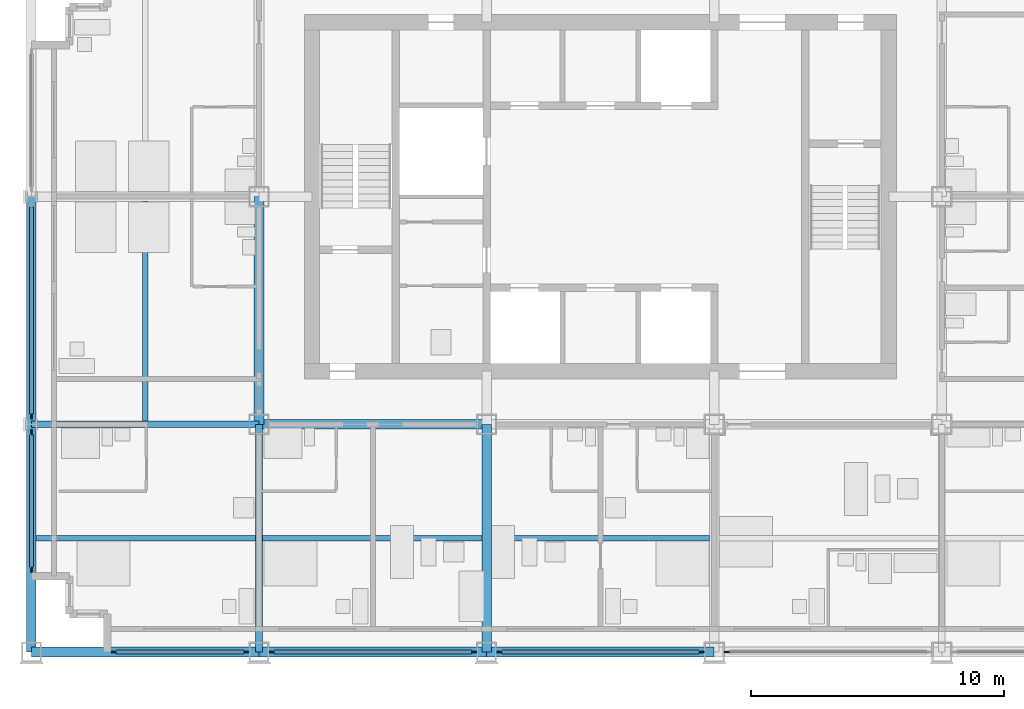
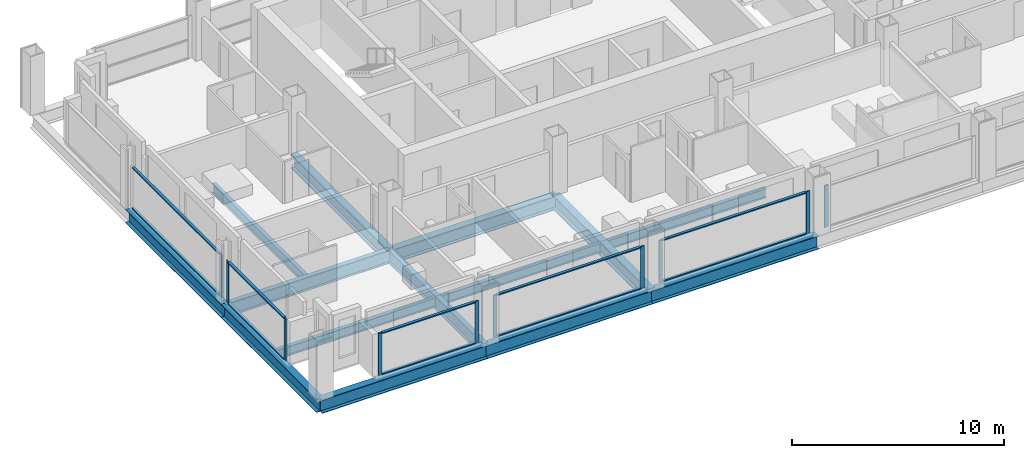
# One storey, part 2 of 13: 20 members, 14 beams, 6 elements without a shape of their own.
"""IFC4 building model written with IfcOpenShell, lengths in metres."""

import ifcopenshell
import ifcopenshell.guid

model = None  # the IFC model being written
_history = None  # IfcOwnerHistory: only IFC2X3 demands one
_inside = {}  # id of a spatial element -> (the spatial element, [elements in it])
_under = {}  # id of a project, library or spatial element -> (it, [spatial elements below it])
_declared = {}  # id of a project -> (the project, [libraries it declares])
_typed = {}  # id of a type object -> (the type object, [elements of that type])
_made_of = {}  # id of a material, layer set ... -> (it, [elements and type objects made of it])


def new_model(schema):
    """Start an empty IFC model of exactly this schema.

    Asked for "IFC4X3", IfcOpenShell would pick the latest addendum, in which some entities
    have other attributes; the version numbers below select the first issue.
    IFC2X3 requires an IfcOwnerHistory on every rooted entity: one is made here for all.
    """
    global model, _history
    if schema == "IFC4X3":
        model = ifcopenshell.file(schema_version=(4, 3, 0, 0))
    else:
        model = ifcopenshell.file(schema=schema)
    _inside.clear()
    _under.clear()
    _declared.clear()
    _typed.clear()
    _made_of.clear()
    _history = None
    if model.schema == "IFC2X3":
        org = make("IfcOrganization", Name="unknown")
        user = make(
            "IfcPersonAndOrganization",
            ThePerson=make("IfcPerson", FamilyName="unknown"),
            TheOrganization=org,
        )
        app = make(
            "IfcApplication",
            ApplicationDeveloper=org,
            Version="unknown",
            ApplicationFullName="unknown",
            ApplicationIdentifier="unknown",
        )
        _history = make(
            "IfcOwnerHistory",
            OwningUser=user,
            OwningApplication=app,
            ChangeAction="ADDED",
            CreationDate=0,
        )
    return model


def make(cls, **values):
    """One entity of the class cls with the attributes given. An attribute that is None is left unset."""
    return model.create_entity(
        cls, **{name: value for name, value in values.items() if value is not None}
    )


def rooted(cls, **values):
    """An entity with a GlobalId (a new one), such as an element, a storey or a relation."""
    return make(cls, GlobalId=ifcopenshell.guid.new(), OwnerHistory=_history, **values)


def si_unit(unit_type, name, prefix=None):
    """IfcSIUnit, for example si_unit("LENGTHUNIT", "METRE", prefix="MILLI")."""
    return make("IfcSIUnit", UnitType=unit_type, Prefix=prefix, Name=name)


def assignment(units):
    """IfcUnitAssignment: the units of a project."""
    return None if units is None else make("IfcUnitAssignment", Units=units)


def point(xyz):
    """IfcCartesianPoint."""
    return None if xyz is None else make("IfcCartesianPoint", Coordinates=xyz)


def direction(xyz):
    """IfcDirection."""
    return None if xyz is None else make("IfcDirection", DirectionRatios=xyz)


def frame(location, z_axis=None, x_axis=None):
    """IfcAxis2Placement3D, a coordinate frame: its origin and axes. An axis left out is left unset."""
    return make(
        "IfcAxis2Placement3D",
        Location=point(location),
        Axis=direction(z_axis),
        RefDirection=direction(x_axis),
    )


def frame_2d(location, x_axis=None):
    """IfcAxis2Placement2D, a coordinate frame in the plane: its origin and x axis."""
    return make(
        "IfcAxis2Placement2D", Location=point(location), RefDirection=direction(x_axis)
    )


def origin():
    """The frame at (0, 0, 0) with its axes left unset."""
    return frame((0.0, 0.0, 0.0))


def origin_2d():
    """The frame at (0, 0) in the plane with its x axis left unset."""
    return frame_2d((0.0, 0.0))


def place(relative_to, where):
    """IfcLocalPlacement: puts the frame where relative to a parent placement (None: the world)."""
    return make(
        "IfcLocalPlacement", PlacementRelTo=relative_to, RelativePlacement=where
    )


def context(
    kind, dimensions, precision=None, world=None, true_north=None, identifier=None
):
    """IfcGeometricRepresentationContext, for example the 3D "Model" context."""
    return make(
        "IfcGeometricRepresentationContext",
        ContextIdentifier=identifier,
        ContextType=kind,
        CoordinateSpaceDimension=dimensions,
        Precision=precision,
        WorldCoordinateSystem=world,
        TrueNorth=true_north,
    )


def subcontext(parent, identifier, kind, view, scale=None):
    """IfcGeometricRepresentationSubContext, for example "Body" below "Model"."""
    return make(
        "IfcGeometricRepresentationSubContext",
        ContextIdentifier=identifier,
        ContextType=kind,
        ParentContext=parent,
        TargetScale=scale,
        TargetView=view,
    )


def project(units=None, contexts=None):
    """IfcProject with its units and contexts."""
    return rooted(
        "IfcProject",
        Name="project",
        RepresentationContexts=contexts,
        UnitsInContext=assignment(units),
    )


def spatial(cls, under=None, at=None, **own):
    """A site, building, storey or space (cls), placed at a placement, below another one or the project."""
    s = rooted(cls, ObjectPlacement=at, **own)
    if under is not None:
        _under.setdefault(under.id(), (under, []))[1].append(s)
    return s


def profile(cls, at=None, kind="AREA", **sizes):
    """A parametric profile (cls). Its sizes go by their IFC names, for example OverallWidth=200.0."""
    return make(cls, ProfileType=kind, Position=at, **sizes)


def rectangle(**sizes):
    """IfcRectangleProfileDef."""
    return profile("IfcRectangleProfileDef", **sizes)


def i_section(**sizes):
    """IfcIShapeProfileDef."""
    return profile("IfcIShapeProfileDef", **sizes)


def extrude(swept, where, along, depth):
    """IfcExtrudedAreaSolid: the profile swept, set in the frame where, extruded along a direction by depth."""
    return make(
        "IfcExtrudedAreaSolid",
        SweptArea=swept,
        Position=where,
        ExtrudedDirection=direction(along),
        Depth=depth,
    )


def shape(context_of_items, identifier, shape_type, items):
    """IfcShapeRepresentation: the items that make up one representation, for example the "Body"."""
    return make(
        "IfcShapeRepresentation",
        ContextOfItems=context_of_items,
        RepresentationIdentifier=identifier,
        RepresentationType=shape_type,
        Items=items,
    )


def material(Name=None, Category=None):
    """IfcMaterial."""
    return make("IfcMaterial", Name=Name, Category=Category)


def material_profile(
    of_material, cross_section, Name=None, Category=None, Priority=None
):
    """IfcMaterialProfile: a cross section and its material."""
    return make(
        "IfcMaterialProfile",
        Name=Name,
        Material=of_material,
        Profile=cross_section,
        Priority=Priority,
        Category=Category,
    )


def profile_set(profiles, Name=None, composite=None):
    """IfcMaterialProfileSet."""
    return make(
        "IfcMaterialProfileSet",
        Name=Name,
        MaterialProfiles=profiles,
        CompositeProfile=composite,
    )


def made_of(thing, what):
    """Note that an element or type object is made of a material, layer set ...; save() writes the relation."""
    if what is not None:
        _made_of.setdefault(what.id(), (what, []))[1].append(thing)
    return thing


def type_object(cls, material=None, **own):
    """A type object (cls), such as IfcWallType, which elements share."""
    return made_of(rooted(cls, **own), material)


def element(
    cls,
    number,
    at=None,
    inside=None,
    cuts=None,
    type_object=None,
    material=None,
    context=None,
    identifier="Body",
    shape_type=None,
    held_by="IfcProductDefinitionShape",
    body=None,
    shapes=None,
    **own,
):
    """One element of the class cls, such as IfcWall. Its Tag is "e" and its number.

    at: its placement. inside: the storey or other place that contains it. cuts: it is an
    opening in that element (IfcRelVoidsElement). A single representation is given by context,
    identifier, shape_type and body (its items); several are given by shapes. held_by: the class
    of the entity that holds the representations. save() writes the other relations.
    """
    e = rooted(cls, Tag="e%d" % number, ObjectPlacement=at, **own)
    if body is not None:
        shapes = [shape(context, identifier, shape_type, body)]
    if shapes is not None:
        e.Representation = make(held_by, Representations=shapes)
    if inside is not None:
        _inside.setdefault(inside.id(), (inside, []))[1].append(e)
    if cuts is not None:
        rooted(
            "IfcRelVoidsElement", RelatingBuildingElement=cuts, RelatedOpeningElement=e
        )
    if type_object is not None:
        _typed.setdefault(type_object.id(), (type_object, []))[1].append(e)
    return made_of(e, material)


def aggregate(whole, parts):
    """IfcRelAggregates: a whole, such as a stair, and the parts it consists of."""
    return rooted("IfcRelAggregates", RelatingObject=whole, RelatedObjects=parts)


def save(model, path):
    """Write the relations noted so far, then the file.

    IfcRelAggregates (storeys below a building ...), IfcRelContainedInSpatialStructure (elements
    in a storey), IfcRelDefinesByType, IfcRelAssociatesMaterial and IfcRelDeclares: one each for
    every whole, place, type object, material and project.
    """
    for whole, parts in _under.values():
        aggregate(whole, parts)
    for where, things in _inside.values():
        rooted(
            "IfcRelContainedInSpatialStructure",
            RelatedElements=things,
            RelatingStructure=where,
        )
    for kind, things in _typed.values():
        rooted("IfcRelDefinesByType", RelatedObjects=things, RelatingType=kind)
    for what, things in _made_of.values():
        rooted("IfcRelAssociatesMaterial", RelatedObjects=things, RelatingMaterial=what)
    for by, libraries in _declared.values():
        rooted("IfcRelDeclares", RelatingContext=by, RelatedDefinitions=libraries)
    model.write(path)


model = new_model("IFC4")

# Units and contexts
model_context = context("Model", 3, precision=1e-05, world=origin(), true_north=direction((0.0, 1.0)))
body_context = subcontext(model_context, "Body", "Model", "MODEL_VIEW")
ifc_project = project(units=[si_unit("LENGTHUNIT", "METRE"), si_unit("AREAUNIT", "SQUARE_METRE"), si_unit("VOLUMEUNIT", "CUBIC_METRE"), si_unit("PLANEANGLEUNIT", "RADIAN"), si_unit("MASSUNIT", "GRAM", prefix="KILO")], contexts=[model_context])

# Site, building, storey
site_placement = place(None, origin())
site = spatial("IfcSite", under=ifc_project, at=site_placement, CompositionType="ELEMENT")
building_placement = place(site_placement, origin())
building = spatial("IfcBuilding", under=site, at=building_placement, Name="Loomwork Tower", CompositionType="ELEMENT")
storey_placement = place(building_placement, frame((0.0, 0.0, 194.39990234375)))
storey = spatial("IfcBuildingStorey", under=building, at=storey_placement, Name="L53", CompositionType="ELEMENT", Elevation=194.39990234375)

# Beams
ifc_material_1 = material(Name="Steel ASTM A992", Category="steel")
ifc_material_profile_1 = material_profile(ifc_material_1, i_section(OverallWidth=0.383544921875, OverallDepth=0.794921875, WebThickness=0.02099609375, FlangeThickness=0.0380859375, at=origin_2d()), Name="W30x235")
ifc_profile_set_1 = profile_set([ifc_material_profile_1], Name="Steel ASTM A992")
beam_type_1 = type_object("IfcBeamType", Name="CORE FLANK GIRDER W30x235", PredefinedType="BEAM", material=ifc_profile_set_1)
for number, where, z_axis, x_axis, name in (
    (1, (9.0, 9.0, -0.597412109375), (1.0, 0.0, 0.0), (0.0, 1.0, 0.0), "Core Flank Girder E/3-E/4 L53"),
    (2, (9.0, 9.0, -0.597412109375), (0.0, 1.0, 0.0), (-1.0, 0.0, 0.0), "Core Flank Girder E/3-F/3 L53"),
    (3, (18.0, 0.0, -0.597412109375), (0.0, 1.0, 0.0), (-1.0, 0.0, 0.0), "Core Flank Girder D/4-E/4 L53"),
):
    element("IfcBeam", number, at=place(storey_placement, frame(where, z_axis=z_axis, x_axis=x_axis)), inside=storey, type_object=beam_type_1, Name=name, PredefinedType="BEAM", context=body_context, shape_type="SweptSolid", body=[
        extrude(i_section(OverallWidth=0.383544921875, OverallDepth=0.794921875, WebThickness=0.02099609375, FlangeThickness=0.0380859375, at=origin_2d()), origin(), (0.0, 0.0, 1.0), 9.0),
    ])
ifc_material_2 = material(Name="Steel ASTM A992", Category="steel")
ifc_material_profile_2 = material_profile(ifc_material_2, i_section(OverallWidth=0.2666015625, OverallDepth=0.761962890625, WebThickness=0.014404296875, FlangeThickness=0.021484375, at=origin_2d()), Name="W30x116")
ifc_profile_set_2 = profile_set([ifc_material_profile_2], Name="Steel ASTM A992")
beam_type_2 = type_object("IfcBeamType", Name="FLOOR GIRDER W30x116", PredefinedType="BEAM", material=ifc_profile_set_2)
for number, where, z_axis, x_axis, name in (
    (4, (0.0, 9.0, -0.580810546875), (1.0, 0.0, 0.0), (0.0, 1.0, 0.0), "Floor Girder E/2-E/3 L53"),
    (5, (9.0, 0.0, -0.580810546875), (0.0, 1.0, 0.0), (-1.0, 0.0, 0.0), "Floor Girder D/3-E/3 L53"),
):
    element("IfcBeam", number, at=place(storey_placement, frame(where, z_axis=z_axis, x_axis=x_axis)), inside=storey, type_object=beam_type_2, Name=name, PredefinedType="BEAM", context=body_context, shape_type="SweptSolid", body=[
        extrude(i_section(OverallWidth=0.2666015625, OverallDepth=0.761962890625, WebThickness=0.014404296875, FlangeThickness=0.021484375, at=origin_2d()), origin(), (0.0, 0.0, 1.0), 9.0),
    ])
ifc_material_3 = material(Name="Steel ASTM A992", Category="steel")
ifc_material_profile_3 = material_profile(ifc_material_3, i_section(OverallWidth=0.2109375, OverallDepth=0.53857421875, WebThickness=0.011474609375, FlangeThickness=0.018798828125, at=origin_2d()), Name="W21x73")
ifc_profile_set_3 = profile_set([ifc_material_profile_3], Name="Steel ASTM A992")
beam_type_3 = type_object("IfcBeamType", Name="FLOOR JOIST W21x73", PredefinedType="JOIST", material=ifc_profile_set_3)
beam_1_placement = place(storey_placement, frame((0.18994140625, 4.5, -0.46923828125), z_axis=(1.0, 0.0, 0.0), x_axis=(0.0, 1.0, 0.0)))
element("IfcBeam", 6, at=beam_1_placement, inside=storey, type_object=beam_type_3, Name="Floor Joist 0.000,4.500-9.000,4.500 L53", PredefinedType="JOIST", context=body_context, shape_type="SweptSolid", body=[
    extrude(i_section(OverallWidth=0.2109375, OverallDepth=0.53857421875, WebThickness=0.011474609375, FlangeThickness=0.018798828125, at=origin_2d()), origin(), (0.0, 0.0, 1.0), 8.677001953125),
])
for number, where, z_axis, x_axis, name in (
    (7, (4.5, 9.133056640625, -0.46923828125), (0.0, 1.0, 0.0), (-1.0, 0.0, 0.0), "Floor Joist 4.500,9.000-4.500,18.000 L53"),
    (8, (9.133056640625, 4.5, -0.46923828125), (1.0, 0.0, 0.0), (0.0, 1.0, 0.0), "Floor Joist 9.000,4.500-18.000,4.500 L53"),
):
    element("IfcBeam", number, at=place(storey_placement, frame(where, z_axis=z_axis, x_axis=x_axis)), inside=storey, type_object=beam_type_3, Name=name, PredefinedType="JOIST", context=body_context, shape_type="SweptSolid", body=[
        extrude(i_section(OverallWidth=0.2109375, OverallDepth=0.53857421875, WebThickness=0.011474609375, FlangeThickness=0.018798828125, at=origin_2d()), origin(), (0.0, 0.0, 1.0), 8.676025390625),
    ])
beam_2_placement = place(storey_placement, frame((18.19091796875, 4.5, -0.46923828125), z_axis=(1.0, 0.0, 0.0), x_axis=(0.0, 1.0, 0.0)))
element("IfcBeam", 9, at=beam_2_placement, inside=storey, type_object=beam_type_3, Name="Floor Joist 18.000,4.500-27.000,4.500 L53", PredefinedType="JOIST", context=body_context, shape_type="SweptSolid", body=[
    extrude(i_section(OverallWidth=0.2109375, OverallDepth=0.53857421875, WebThickness=0.011474609375, FlangeThickness=0.018798828125, at=origin_2d()), origin(), (0.0, 0.0, 1.0), 8.6181640625),
])

# Curtain wall, members
ifc_material_4 = material(Name="Aluminium curtain wall frame", Category="aluminium")
curtain_wall_type = type_object("IfcCurtainWallType", Name="Outer skin glazing hotel", PredefinedType="NOTDEFINED", material=ifc_material_4)
curtain_wall_1_placement = place(storey_placement, origin())
curtain_wall_1 = element("IfcCurtainWall", 10, at=curtain_wall_1_placement, inside=storey, type_object=curtain_wall_type, Name="Outer skin glazing hotel cw/S-0", PredefinedType="NOTDEFINED")
ifc_material_5 = material(Name="Aluminium curtain wall frame", Category="aluminium")
ifc_material_profile_4 = material_profile(ifc_material_5, rectangle(XDim=0.06494140625, YDim=0.199951171875, at=origin_2d()), Name="AL 65x200")
ifc_profile_set_4 = profile_set([ifc_material_profile_4], Name="Aluminium curtain wall frame")
member_type_1 = type_object("IfcMemberType", Name="Outer skin glazing hotel mullion", PredefinedType="MULLION", material=ifc_profile_set_4)
member_1_placement = place(storey_placement, frame((3.25, 0.0, 0.0), z_axis=(0.0, 0.0, 1.0), x_axis=(0.0, 1.0, 0.0)))
member_1 = element("IfcMember", 11, at=member_1_placement, type_object=member_type_1, Name="CW1 mullion 1", PredefinedType="MULLION", context=body_context, shape_type="SweptSolid", body=[
    extrude(rectangle(XDim=0.06494140625, YDim=0.199951171875, at=origin_2d()), origin(), (0.0, 0.0, 1.0), 2.42041015625),
])
member_2_placement = place(storey_placement, frame((8.5, 0.0, 0.0), z_axis=(0.0, 0.0, 1.0), x_axis=(0.0, 1.0, 0.0)))
member_2 = element("IfcMember", 12, at=member_2_placement, type_object=member_type_1, Name="CW1 mullion 2", PredefinedType="MULLION", context=body_context, shape_type="SweptSolid", body=[
    extrude(rectangle(XDim=0.06494140625, YDim=0.199951171875, at=origin_2d()), origin(), (0.0, 0.0, 1.0), 2.42041015625),
])

curtain_wall_2_placement = place(storey_placement, origin())
curtain_wall_2 = element("IfcCurtainWall", 13, at=curtain_wall_2_placement, inside=storey, type_object=curtain_wall_type, Name="Outer skin glazing hotel cw/S-9", PredefinedType="NOTDEFINED")
member_3_placement = place(storey_placement, frame((9.5, 0.0, 0.0), z_axis=(0.0, 0.0, 1.0), x_axis=(0.0, 1.0, 0.0)))
member_3 = element("IfcMember", 14, at=member_3_placement, type_object=member_type_1, Name="CW1 mullion 1", PredefinedType="MULLION", context=body_context, shape_type="SweptSolid", body=[
    extrude(rectangle(XDim=0.06494140625, YDim=0.199951171875, at=origin_2d()), origin(), (0.0, 0.0, 1.0), 2.42041015625),
])
member_4_placement = place(storey_placement, frame((17.5, 0.0, 0.0), z_axis=(0.0, 0.0, 1.0), x_axis=(0.0, 1.0, 0.0)))
member_4 = element("IfcMember", 15, at=member_4_placement, type_object=member_type_1, Name="CW1 mullion 2", PredefinedType="MULLION", context=body_context, shape_type="SweptSolid", body=[
    extrude(rectangle(XDim=0.06494140625, YDim=0.199951171875, at=origin_2d()), origin(), (0.0, 0.0, 1.0), 2.42041015625),
])

curtain_wall_3_placement = place(storey_placement, origin())
curtain_wall_3 = element("IfcCurtainWall", 16, at=curtain_wall_3_placement, inside=storey, type_object=curtain_wall_type, Name="Outer skin glazing hotel cw/S-18", PredefinedType="NOTDEFINED")
member_5_placement = place(storey_placement, frame((18.5, 0.0, 0.0), z_axis=(0.0, 0.0, 1.0), x_axis=(0.0, 1.0, 0.0)))
member_5 = element("IfcMember", 17, at=member_5_placement, type_object=member_type_1, Name="CW1 mullion 1", PredefinedType="MULLION", context=body_context, shape_type="SweptSolid", body=[
    extrude(rectangle(XDim=0.06494140625, YDim=0.199951171875, at=origin_2d()), origin(), (0.0, 0.0, 1.0), 2.42041015625),
])
member_6_placement = place(storey_placement, frame((26.5, 0.0, 0.0), z_axis=(0.0, 0.0, 1.0), x_axis=(0.0, 1.0, 0.0)))
member_6 = element("IfcMember", 18, at=member_6_placement, type_object=member_type_1, Name="CW1 mullion 2", PredefinedType="MULLION", context=body_context, shape_type="SweptSolid", body=[
    extrude(rectangle(XDim=0.06494140625, YDim=0.199951171875, at=origin_2d()), origin(), (0.0, 0.0, 1.0), 2.42041015625),
])

# Curtain wall, member
curtain_wall_4_placement = place(storey_placement, origin())
curtain_wall_4 = element("IfcCurtainWall", 19, at=curtain_wall_4_placement, inside=storey, type_object=curtain_wall_type, Name="Outer skin glazing hotel cw/S-27", PredefinedType="NOTDEFINED")
member_7_placement = place(storey_placement, frame((27.5, 0.0, 0.0), z_axis=(0.0, 0.0, 1.0), x_axis=(0.0, 1.0, 0.0)))
member_7 = element("IfcMember", 20, at=member_7_placement, type_object=member_type_1, Name="CW1 mullion 1", PredefinedType="MULLION", context=body_context, shape_type="SweptSolid", body=[
    extrude(rectangle(XDim=0.06494140625, YDim=0.199951171875, at=origin_2d()), origin(), (0.0, 0.0, 1.0), 2.42041015625),
])
aggregate(curtain_wall_4, [member_7])

# Curtain wall, members
curtain_wall_5_placement = place(storey_placement, origin())
curtain_wall_5 = element("IfcCurtainWall", 21, at=curtain_wall_5_placement, inside=storey, type_object=curtain_wall_type, Name="Outer skin glazing hotel cw/W-0", PredefinedType="NOTDEFINED")
member_8_placement = place(storey_placement, frame((0.0, 8.6865234375, 0.0), z_axis=(0.0, 0.0, 1.0), x_axis=(1.0, 0.0, 0.0)))
member_8 = element("IfcMember", 22, at=member_8_placement, type_object=member_type_1, Name="CW1 mullion 1", PredefinedType="MULLION", context=body_context, shape_type="SweptSolid", body=[
    extrude(rectangle(XDim=0.06494140625, YDim=0.199951171875, at=origin_2d()), origin(), (0.0, 0.0, 1.0), 2.42041015625),
])
member_9_placement = place(storey_placement, frame((0.0, 3.25, 0.0), z_axis=(0.0, 0.0, 1.0), x_axis=(1.0, 0.0, 0.0)))
member_9 = element("IfcMember", 23, at=member_9_placement, type_object=member_type_1, Name="CW1 mullion 2", PredefinedType="MULLION", context=body_context, shape_type="SweptSolid", body=[
    extrude(rectangle(XDim=0.06494140625, YDim=0.199951171875, at=origin_2d()), origin(), (0.0, 0.0, 1.0), 2.42041015625),
])

# Curtain wall, member
curtain_wall_6_placement = place(storey_placement, origin())
curtain_wall_6 = element("IfcCurtainWall", 24, at=curtain_wall_6_placement, inside=storey, type_object=curtain_wall_type, Name="Outer skin glazing hotel cw/W-9", PredefinedType="NOTDEFINED")
member_10_placement = place(storey_placement, frame((0.0, 9.3134765625, 0.0), z_axis=(0.0, 0.0, 1.0), x_axis=(1.0, 0.0, 0.0)))
member_10 = element("IfcMember", 25, at=member_10_placement, type_object=member_type_1, Name="CW1 mullion 2", PredefinedType="MULLION", context=body_context, shape_type="SweptSolid", body=[
    extrude(rectangle(XDim=0.06494140625, YDim=0.199951171875, at=origin_2d()), origin(), (0.0, 0.0, 1.0), 2.42041015625),
])

# Member
ifc_material_6 = material(Name="Aluminium curtain wall frame", Category="aluminium")
ifc_material_profile_5 = material_profile(ifc_material_6, rectangle(XDim=0.14990234375, YDim=0.06494140625, at=origin_2d()), Name="AL 65x150")
ifc_profile_set_5 = profile_set([ifc_material_profile_5], Name="Aluminium curtain wall frame")
member_type_2 = type_object("IfcMemberType", Name="Outer skin glazing hotel transom", PredefinedType="USERDEFINED", material=ifc_profile_set_5)
member_11_placement = place(storey_placement, frame((3.35009765625, 0.0, 0.03271484375), z_axis=(1.0, 0.0, 0.0), x_axis=(0.0, 1.0, 0.0)))
member_11 = element("IfcMember", 26, at=member_11_placement, type_object=member_type_2, Name="CW1 transom 1.1", ObjectType="TRANSOM", PredefinedType="USERDEFINED", context=body_context, shape_type="SweptSolid", body=[
    extrude(rectangle(XDim=0.14990234375, YDim=0.06494140625, at=origin_2d()), origin(), (0.0, 0.0, 1.0), 5.0498046875),
])

member_12_placement = place(storey_placement, frame((3.35009765625, 0.0, 2.3876953125), z_axis=(1.0, 0.0, 0.0), x_axis=(0.0, 1.0, 0.0)))
member_12 = element("IfcMember", 27, at=member_12_placement, type_object=member_type_2, Name="CW1 transom 1.2", ObjectType="TRANSOM", PredefinedType="USERDEFINED", context=body_context, shape_type="SweptSolid", body=[
    extrude(rectangle(XDim=0.14990234375, YDim=0.06494140625, at=origin_2d()), origin(), (0.0, 0.0, 1.0), 5.0498046875),
])

aggregate(curtain_wall_1, [member_1, member_2, member_11, member_12])

member_13_placement = place(storey_placement, frame((9.60009765625, 0.0, 0.03271484375), z_axis=(1.0, 0.0, 0.0), x_axis=(0.0, 1.0, 0.0)))
member_13 = element("IfcMember", 28, at=member_13_placement, type_object=member_type_2, Name="CW1 transom 1.1", ObjectType="TRANSOM", PredefinedType="USERDEFINED", context=body_context, shape_type="SweptSolid", body=[
    extrude(rectangle(XDim=0.14990234375, YDim=0.06494140625, at=origin_2d()), origin(), (0.0, 0.0, 1.0), 7.7998046875),
])

member_14_placement = place(storey_placement, frame((9.60009765625, 0.0, 2.3876953125), z_axis=(1.0, 0.0, 0.0), x_axis=(0.0, 1.0, 0.0)))
member_14 = element("IfcMember", 29, at=member_14_placement, type_object=member_type_2, Name="CW1 transom 1.2", ObjectType="TRANSOM", PredefinedType="USERDEFINED", context=body_context, shape_type="SweptSolid", body=[
    extrude(rectangle(XDim=0.14990234375, YDim=0.06494140625, at=origin_2d()), origin(), (0.0, 0.0, 1.0), 7.7998046875),
])

aggregate(curtain_wall_2, [member_3, member_4, member_13, member_14])

member_15_placement = place(storey_placement, frame((18.60009765625, 0.0, 0.03271484375), z_axis=(1.0, 0.0, 0.0), x_axis=(0.0, 1.0, 0.0)))
member_15 = element("IfcMember", 30, at=member_15_placement, type_object=member_type_2, Name="CW1 transom 1.1", ObjectType="TRANSOM", PredefinedType="USERDEFINED", context=body_context, shape_type="SweptSolid", body=[
    extrude(rectangle(XDim=0.14990234375, YDim=0.06494140625, at=origin_2d()), origin(), (0.0, 0.0, 1.0), 7.7998046875),
])

member_16_placement = place(storey_placement, frame((18.60009765625, 0.0, 2.3876953125), z_axis=(1.0, 0.0, 0.0), x_axis=(0.0, 1.0, 0.0)))
member_16 = element("IfcMember", 31, at=member_16_placement, type_object=member_type_2, Name="CW1 transom 1.2", ObjectType="TRANSOM", PredefinedType="USERDEFINED", context=body_context, shape_type="SweptSolid", body=[
    extrude(rectangle(XDim=0.14990234375, YDim=0.06494140625, at=origin_2d()), origin(), (0.0, 0.0, 1.0), 7.7998046875),
])

aggregate(curtain_wall_3, [member_5, member_6, member_15, member_16])

member_17_placement = place(storey_placement, frame((0.0, 8.586669921875, 0.03271484375), z_axis=(0.0, -1.0, 0.0), x_axis=(1.0, 0.0, 0.0)))
member_17 = element("IfcMember", 32, at=member_17_placement, type_object=member_type_2, Name="CW1 transom 1.1", ObjectType="TRANSOM", PredefinedType="USERDEFINED", context=body_context, shape_type="SweptSolid", body=[
    extrude(rectangle(XDim=0.14990234375, YDim=0.06494140625, at=origin_2d()), origin(), (0.0, 0.0, 1.0), 5.236572265625),
])

member_18_placement = place(storey_placement, frame((0.0, 8.586669921875, 2.3876953125), z_axis=(0.0, -1.0, 0.0), x_axis=(1.0, 0.0, 0.0)))
member_18 = element("IfcMember", 33, at=member_18_placement, type_object=member_type_2, Name="CW1 transom 1.2", ObjectType="TRANSOM", PredefinedType="USERDEFINED", context=body_context, shape_type="SweptSolid", body=[
    extrude(rectangle(XDim=0.14990234375, YDim=0.06494140625, at=origin_2d()), origin(), (0.0, 0.0, 1.0), 5.236572265625),
])

aggregate(curtain_wall_5, [member_8, member_9, member_17, member_18])

member_19_placement = place(storey_placement, frame((0.0, 17.586669921875, 0.03271484375), z_axis=(0.0, -1.0, 0.0), x_axis=(1.0, 0.0, 0.0)))
member_19 = element("IfcMember", 34, at=member_19_placement, type_object=member_type_2, Name="CW1 transom 1.1", ObjectType="TRANSOM", PredefinedType="USERDEFINED", context=body_context, shape_type="SweptSolid", body=[
    extrude(rectangle(XDim=0.14990234375, YDim=0.06494140625, at=origin_2d()), origin(), (0.0, 0.0, 1.0), 8.17333984375),
])

member_20_placement = place(storey_placement, frame((0.0, 17.586669921875, 2.3876953125), z_axis=(0.0, -1.0, 0.0), x_axis=(1.0, 0.0, 0.0)))
member_20 = element("IfcMember", 35, at=member_20_placement, type_object=member_type_2, Name="CW1 transom 1.2", ObjectType="TRANSOM", PredefinedType="USERDEFINED", context=body_context, shape_type="SweptSolid", body=[
    extrude(rectangle(XDim=0.14990234375, YDim=0.06494140625, at=origin_2d()), origin(), (0.0, 0.0, 1.0), 8.17333984375),
])

aggregate(curtain_wall_6, [member_10, member_19, member_20])

# Beams
ifc_material_7 = material(Name="Steel ASTM A992", Category="steel")
ifc_material_profile_6 = material_profile(ifc_material_7, i_section(OverallWidth=0.381103515625, OverallDepth=0.77978515625, WebThickness=0.01806640625, FlangeThickness=0.0302734375, at=origin_2d()), Name="W30x191")
ifc_profile_set_6 = profile_set([ifc_material_profile_6], Name="Steel ASTM A992")
beam_type_4 = type_object("IfcBeamType", Name="SPANDREL GIRDER W30x191", PredefinedType="SPANDREL", material=ifc_profile_set_6)
for number, where, z_axis, x_axis, name in (
    (36, (0.0, 0.0, -0.58984375), (1.0, 0.0, 0.0), (0.0, 1.0, 0.0), "Spandrel Girder D/2-D/3 L53"),
    (37, (9.0, 0.0, -0.58984375), (1.0, 0.0, 0.0), (0.0, 1.0, 0.0), "Spandrel Girder D/3-D/4 L53"),
    (38, (18.0, 0.0, -0.58984375), (1.0, 0.0, 0.0), (0.0, 1.0, 0.0), "Spandrel Girder D/4-D/5 L53"),
    (39, (0.0, 0.0, -0.58984375), (0.0, 1.0, 0.0), (-1.0, 0.0, 0.0), "Spandrel Girder D/2-E/2 L53"),
    (40, (0.0, 9.0, -0.58984375), (0.0, 1.0, 0.0), (-1.0, 0.0, 0.0), "Spandrel Girder E/2-F/2 L53"),
):
    element("IfcBeam", number, at=place(storey_placement, frame(where, z_axis=z_axis, x_axis=x_axis)), inside=storey, type_object=beam_type_4, Name=name, PredefinedType="SPANDREL", context=body_context, shape_type="SweptSolid", body=[
        extrude(i_section(OverallWidth=0.381103515625, OverallDepth=0.77978515625, WebThickness=0.01806640625, FlangeThickness=0.0302734375, at=origin_2d()), origin(), (0.0, 0.0, 1.0), 9.0),
    ])

save(model, "model.ifc")
